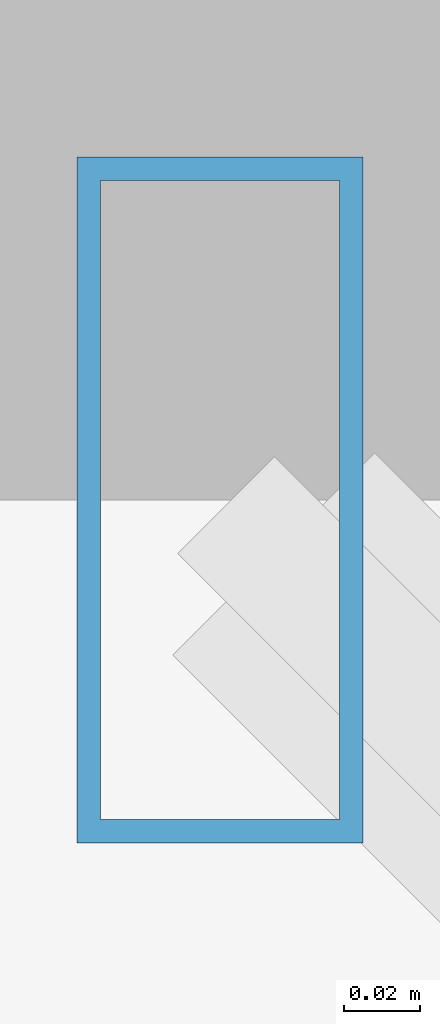
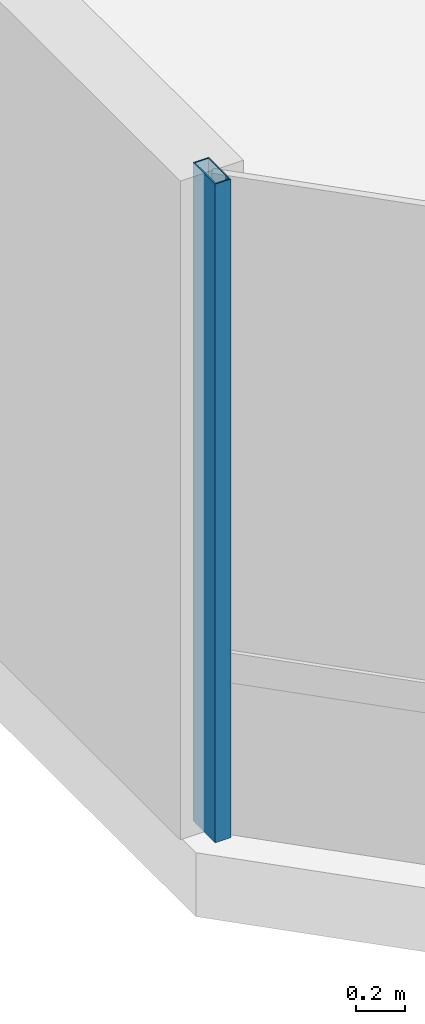
# One storey, part 6 of 42: 1 member, 1 element without a shape of its own.
"""IFC4 building model written with IfcOpenShell, lengths in metres."""

from ifc_helpers import new_model, si_unit, direction, frame, origin, origin_2d, place, context, subcontext, project, spatial, hollow_rectangle, extrude, material, material_profile, profile_set, type_object, element, aggregate, save


model = new_model("IFC4")

# Units and contexts
model_context = context("Model", 3, precision=1e-05, world=origin(), true_north=direction((0.0, 1.0)))
body_context = subcontext(model_context, "Body", "Model", "MODEL_VIEW")
ifc_project = project(units=[si_unit("LENGTHUNIT", "METRE"), si_unit("AREAUNIT", "SQUARE_METRE"), si_unit("VOLUMEUNIT", "CUBIC_METRE"), si_unit("PLANEANGLEUNIT", "RADIAN"), si_unit("MASSUNIT", "GRAM", prefix="KILO")], contexts=[model_context])

# Site, building, storey
site_placement = place(None, origin())
site = spatial("IfcSite", under=ifc_project, at=site_placement, CompositionType="ELEMENT")
building_placement = place(site_placement, origin())
building = spatial("IfcBuilding", under=site, at=building_placement, Name="Thornwick Lancets Civic Towers", CompositionType="ELEMENT")
storey_placement = place(building_placement, frame((0.0, 0.0, 221.699951171875)))
storey = spatial("IfcBuildingStorey", under=building, at=storey_placement, Name="L59", CompositionType="ELEMENT", Elevation=221.699951171875)

# Curtain wall, member
ifc_material_1 = material(Name="High-zone chamfered-corner unitised glass curtain wall", Category="glass")
curtain_wall_type = type_object("IfcCurtainWallType", Name="CW_SYS_05", PredefinedType="NOTDEFINED", material=ifc_material_1)
curtain_wall_placement = place(storey_placement, origin())
curtain_wall = element("IfcCurtainWall", 1, at=curtain_wall_placement, inside=storey, type_object=curtain_wall_type, Name="L59 Curtain Wall CW-L59-B-E7", PredefinedType="NOTDEFINED")
ifc_material_2 = material(Name="Thermally broken bronze aluminium S355", Category="steel")
ifc_material_profile = material_profile(ifc_material_2, hollow_rectangle(XDim=0.074951171875, YDim=0.179931640625, WallThickness=0.006103515625, at=origin_2d()), Name="RHS 180x75x6")
ifc_profile_set = profile_set([ifc_material_profile], Name="Thermally broken bronze aluminium S355")
member_type = type_object("IfcMemberType", Name="CW_MUL_180", PredefinedType="MULLION", material=ifc_profile_set)
member_placement = place(storey_placement, frame((64.7412109375, 7.611572265625, 0.0), z_axis=(0.0, 0.0, 1.0), x_axis=(1.0, 0.0, 0.0)))
member = element("IfcMember", 2, at=member_placement, type_object=member_type, Name="CW-L59-B-E7 Mullion 0", PredefinedType="MULLION", context=body_context, shape_type="SweptSolid", body=[
    extrude(hollow_rectangle(XDim=0.074951171875, YDim=0.179931640625, WallThickness=0.006103515625, at=origin_2d()), origin(), (0.0, 0.0, 1.0), 3.300048828125),
])
aggregate(curtain_wall, [member])

save(model, "model.ifc")
